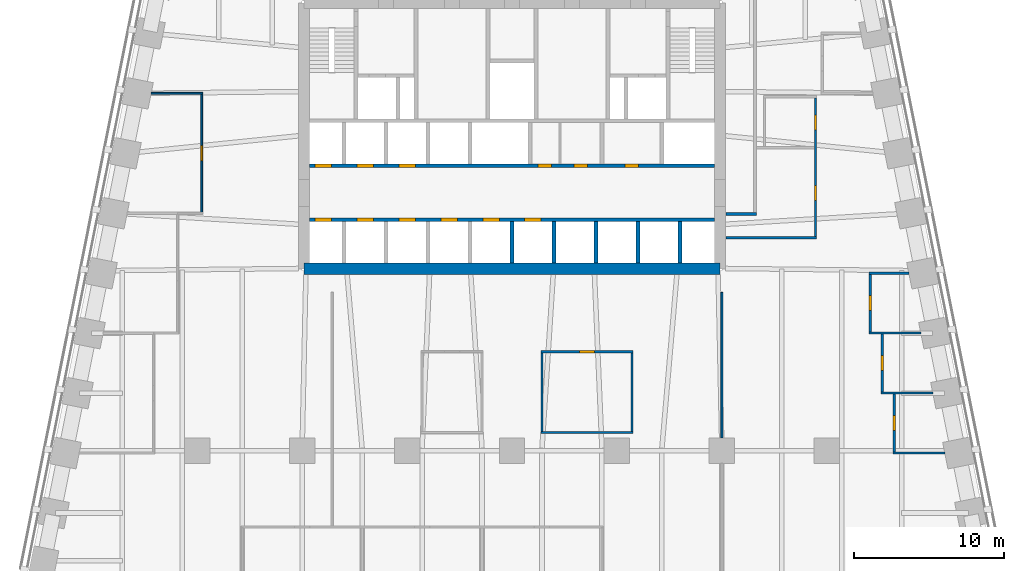
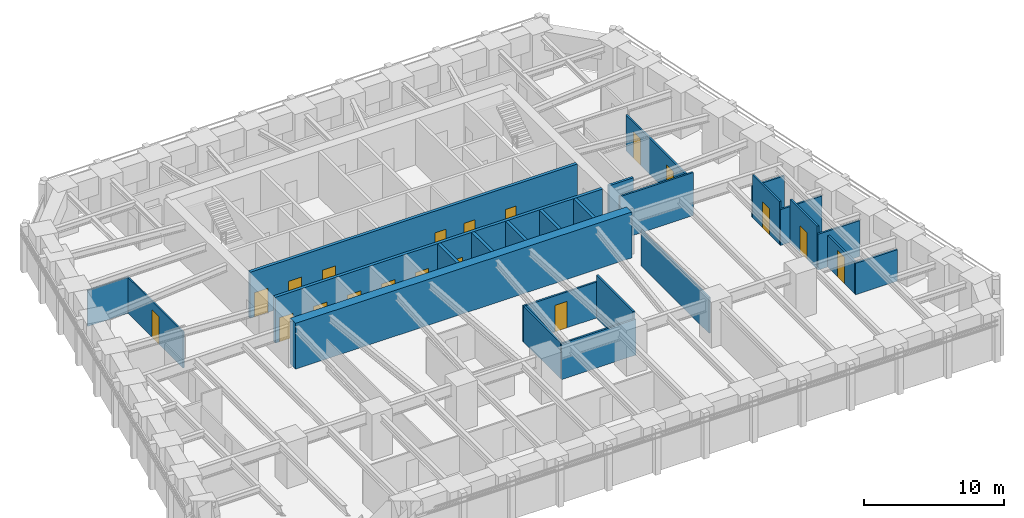
# One storey, part 6 of 10: 25 walls, 19 doors, 19 openings.
"""IFC4 building model written with IfcOpenShell, lengths in metres."""

from ifc_helpers import new_model, si_unit, direction, frame, frame_2d, origin, place, context, subcontext, project, spatial, rectangle, extrude, material, layer, layer_set, type_object, element, fill, save


model = new_model("IFC4")

# Units and contexts
model_context = context("Model", 3, precision=1e-05, world=origin(), true_north=direction((0.0, 1.0)))
body_context = subcontext(model_context, "Body", "Model", "MODEL_VIEW")
ifc_project = project(units=[si_unit("LENGTHUNIT", "METRE"), si_unit("AREAUNIT", "SQUARE_METRE"), si_unit("VOLUMEUNIT", "CUBIC_METRE"), si_unit("PLANEANGLEUNIT", "RADIAN"), si_unit("MASSUNIT", "GRAM", prefix="KILO")], contexts=[model_context])

# Site, building, storey
site_placement = place(None, origin())
site = spatial("IfcSite", under=ifc_project, at=site_placement, CompositionType="ELEMENT")
building_placement = place(site_placement, origin())
building = spatial("IfcBuilding", under=site, at=building_placement, Name="Isbrekke Arena Tower", CompositionType="ELEMENT")
storey_placement = place(building_placement, frame((0.0, 0.0, 163.0)))
storey = spatial("IfcBuildingStorey", under=building, at=storey_placement, Name="L37", CompositionType="ELEMENT", Elevation=163.0)

# Wall
ifc_material_1 = material(Name="Concrete B55 (C55/67)", Category="concrete")
ifc_layer_1 = layer(ifc_material_1, 0.75)
ifc_layer_set_1 = layer_set([ifc_layer_1], Name="CW3 CORE WALL 750")
wall_type_1 = type_object("IfcWallType", Name="CW3 CORE WALL 750", PredefinedType="SHEAR", material=ifc_layer_set_1)
wall_1_placement = place(storey_placement, frame((-13.875, 6.125, 0.0), z_axis=(0.0, 0.0, 1.0), x_axis=(1.0, 0.0, 0.0)))
element("IfcWall", 1, at=wall_1_placement, inside=storey, type_object=wall_type_1, Name="Core wall S L37", PredefinedType="SHEAR", context=body_context, shape_type="SweptSolid", body=[
    extrude(rectangle(XDim=27.75, YDim=0.75, at=frame_2d((13.875, 0.0))), origin(), (0.0, 0.0, 1.0), 4.0),
])

# Wall, openings, doors
ifc_material_2 = material(Name="Concrete B45 (C45/55)", Category="concrete")
ifc_layer_2 = layer(ifc_material_2, 0.25)
ifc_layer_set_2 = layer_set([ifc_layer_2], Name="CW6 SHAFT WALL 250")
wall_type_2 = type_object("IfcWallType", Name="CW6 SHAFT WALL 250", PredefinedType="SHEAR", material=ifc_layer_set_2)
wall_2_placement = place(storey_placement, frame((-13.5, 9.39990234375, 0.0), z_axis=(0.0, 0.0, 1.0), x_axis=(1.0, 0.0, 0.0)))
wall_2 = element("IfcWall", 2, at=wall_2_placement, inside=storey, type_object=wall_type_2, Name="Core wall LS L37", PredefinedType="SHEAR", context=body_context, shape_type="SweptSolid", body=[
    extrude(rectangle(XDim=27.0, YDim=0.25, at=frame_2d((13.5, 0.0))), origin(), (0.0, 0.0, 1.0), 4.0),
])
opening_1_placement = place(wall_2_placement, frame((0.35009765625, 0.0, 0.0)))
opening_1 = element("IfcOpeningElement", 3, at=opening_1_placement, cuts=wall_2, Name="Opening LD1", PredefinedType="OPENING", context=body_context, shape_type="SweptSolid", body=[
    extrude(rectangle(XDim=1.10009765625, YDim=2.10009765625, at=frame_2d((0.550048828125, 1.050048828125))), frame((0.0, 0.139892578125, 0.0), z_axis=(0.0, -1.0, 0.0), x_axis=(1.0, 0.0, 0.0)), (0.0, 0.0, 1.0), 0.27978515625),
])
opening_2_placement = place(wall_2_placement, frame((3.14990234375, 0.0, 0.0)))
opening_2 = element("IfcOpeningElement", 4, at=opening_2_placement, cuts=wall_2, Name="Opening LD1", PredefinedType="OPENING", context=body_context, shape_type="SweptSolid", body=[
    extrude(rectangle(XDim=1.10009765625, YDim=2.10009765625, at=frame_2d((0.550048828125, 1.050048828125))), frame((0.0, 0.139892578125, 0.0), z_axis=(0.0, -1.0, 0.0), x_axis=(1.0, 0.0, 0.0)), (0.0, 0.0, 1.0), 0.27978515625),
])
opening_3_placement = place(wall_2_placement, frame((5.949951171875, 0.0, 0.0)))
opening_3 = element("IfcOpeningElement", 5, at=opening_3_placement, cuts=wall_2, Name="Opening LD1", PredefinedType="OPENING", context=body_context, shape_type="SweptSolid", body=[
    extrude(rectangle(XDim=1.10009765625, YDim=2.10009765625, at=frame_2d((0.550048828125, 1.050048828125))), frame((0.0, 0.139892578125, 0.0), z_axis=(0.0, -1.0, 0.0), x_axis=(1.0, 0.0, 0.0)), (0.0, 0.0, 1.0), 0.27978515625),
])
opening_4_placement = place(wall_2_placement, frame((8.75, 0.0, 0.0)))
opening_4 = element("IfcOpeningElement", 6, at=opening_4_placement, cuts=wall_2, Name="Opening LD1", PredefinedType="OPENING", context=body_context, shape_type="SweptSolid", body=[
    extrude(rectangle(XDim=1.10009765625, YDim=2.10009765625, at=frame_2d((0.550048828125, 1.050048828125))), frame((0.0, 0.139892578125, 0.0), z_axis=(0.0, -1.0, 0.0), x_axis=(1.0, 0.0, 0.0)), (0.0, 0.0, 1.0), 0.27978515625),
])
opening_5_placement = place(wall_2_placement, frame((11.550048828125, 0.0, 0.0)))
opening_5 = element("IfcOpeningElement", 7, at=opening_5_placement, cuts=wall_2, Name="Opening LD1", PredefinedType="OPENING", context=body_context, shape_type="SweptSolid", body=[
    extrude(rectangle(XDim=1.10009765625, YDim=2.10009765625, at=frame_2d((0.550048828125, 1.050048828125))), frame((0.0, 0.139892578125, 0.0), z_axis=(0.0, -1.0, 0.0), x_axis=(1.0, 0.0, 0.0)), (0.0, 0.0, 1.0), 0.27978515625),
])
opening_6_placement = place(wall_2_placement, frame((14.35009765625, 0.0, 0.0)))
opening_6 = element("IfcOpeningElement", 8, at=opening_6_placement, cuts=wall_2, Name="Opening LD1", PredefinedType="OPENING", context=body_context, shape_type="SweptSolid", body=[
    extrude(rectangle(XDim=1.10009765625, YDim=2.10009765625, at=frame_2d((0.550048828125, 1.050048828125))), frame((0.0, 0.139892578125, 0.0), z_axis=(0.0, -1.0, 0.0), x_axis=(1.0, 0.0, 0.0)), (0.0, 0.0, 1.0), 0.27978515625),
])
ifc_material_3 = material(Name="Stainless steel lift landing door", Category="steel")
door_type_1 = type_object("IfcDoorType", Name="LD1 LIFT LANDING DOOR 1100 x 2100", OperationType="SLIDING_TO_LEFT", PredefinedType="DOOR", material=ifc_material_3)
door_1_placement = place(opening_1_placement, origin())
door_1 = element("IfcDoor", 9, at=door_1_placement, inside=storey, type_object=door_type_1, Name="LD1 lift landing door LB L37", OperationType="SLIDING_TO_LEFT", OverallHeight=2.10009765625, OverallWidth=1.10009765625, PredefinedType="DOOR", context=body_context, shape_type="SweptSolid", body=[
    extrude(rectangle(XDim=1.10009765625, YDim=2.10009765625, at=frame_2d((0.550048828125, 1.050048828125))), frame((0.0, 0.124755859375, 0.0), z_axis=(0.0, -1.0, 0.0), x_axis=(1.0, 0.0, 0.0)), (0.0, 0.0, 1.0), 0.24951171875),
])
fill(opening_1, door_1)
door_2_placement = place(opening_2_placement, origin())
door_2 = element("IfcDoor", 10, at=door_2_placement, inside=storey, type_object=door_type_1, Name="LD1 lift landing door LB L37", OperationType="SLIDING_TO_LEFT", OverallHeight=2.10009765625, OverallWidth=1.10009765625, PredefinedType="DOOR", context=body_context, shape_type="SweptSolid", body=[
    extrude(rectangle(XDim=1.10009765625, YDim=2.10009765625, at=frame_2d((0.550048828125, 1.050048828125))), frame((0.0, 0.124755859375, 0.0), z_axis=(0.0, -1.0, 0.0), x_axis=(1.0, 0.0, 0.0)), (0.0, 0.0, 1.0), 0.24951171875),
])
fill(opening_2, door_2)
door_3_placement = place(opening_3_placement, origin())
door_3 = element("IfcDoor", 11, at=door_3_placement, inside=storey, type_object=door_type_1, Name="LD1 lift landing door LB L37", OperationType="SLIDING_TO_LEFT", OverallHeight=2.10009765625, OverallWidth=1.10009765625, PredefinedType="DOOR", context=body_context, shape_type="SweptSolid", body=[
    extrude(rectangle(XDim=1.10009765625, YDim=2.10009765625, at=frame_2d((0.550048828125, 1.050048828125))), frame((0.0, 0.124755859375, 0.0), z_axis=(0.0, -1.0, 0.0), x_axis=(1.0, 0.0, 0.0)), (0.0, 0.0, 1.0), 0.24951171875),
])
fill(opening_3, door_3)
door_4_placement = place(opening_4_placement, origin())
door_4 = element("IfcDoor", 12, at=door_4_placement, inside=storey, type_object=door_type_1, Name="LD1 lift landing door LS L37", OperationType="SLIDING_TO_LEFT", OverallHeight=2.10009765625, OverallWidth=1.10009765625, PredefinedType="DOOR", context=body_context, shape_type="SweptSolid", body=[
    extrude(rectangle(XDim=1.10009765625, YDim=2.10009765625, at=frame_2d((0.550048828125, 1.050048828125))), frame((0.0, 0.124755859375, 0.0), z_axis=(0.0, -1.0, 0.0), x_axis=(1.0, 0.0, 0.0)), (0.0, 0.0, 1.0), 0.24951171875),
])
fill(opening_4, door_4)
door_5_placement = place(opening_5_placement, origin())
door_5 = element("IfcDoor", 13, at=door_5_placement, inside=storey, type_object=door_type_1, Name="LD1 lift landing door LS L37", OperationType="SLIDING_TO_LEFT", OverallHeight=2.10009765625, OverallWidth=1.10009765625, PredefinedType="DOOR", context=body_context, shape_type="SweptSolid", body=[
    extrude(rectangle(XDim=1.10009765625, YDim=2.10009765625, at=frame_2d((0.550048828125, 1.050048828125))), frame((0.0, 0.124755859375, 0.0), z_axis=(0.0, -1.0, 0.0), x_axis=(1.0, 0.0, 0.0)), (0.0, 0.0, 1.0), 0.24951171875),
])
fill(opening_5, door_5)
door_6_placement = place(opening_6_placement, origin())
door_6 = element("IfcDoor", 14, at=door_6_placement, inside=storey, type_object=door_type_1, Name="LD1 lift landing door LS L37", OperationType="SLIDING_TO_LEFT", OverallHeight=2.10009765625, OverallWidth=1.10009765625, PredefinedType="DOOR", context=body_context, shape_type="SweptSolid", body=[
    extrude(rectangle(XDim=1.10009765625, YDim=2.10009765625, at=frame_2d((0.550048828125, 1.050048828125))), frame((0.0, 0.124755859375, 0.0), z_axis=(0.0, -1.0, 0.0), x_axis=(1.0, 0.0, 0.0)), (0.0, 0.0, 1.0), 0.24951171875),
])
fill(opening_6, door_6)

wall_3_placement = place(storey_placement, frame((-13.5, 13.0, 0.0), z_axis=(0.0, 0.0, 1.0), x_axis=(1.0, 0.0, 0.0)))
wall_3 = element("IfcWall", 15, at=wall_3_placement, inside=storey, type_object=wall_type_2, Name="Core wall LN L37", PredefinedType="SHEAR", context=body_context, shape_type="SweptSolid", body=[
    extrude(rectangle(XDim=27.0, YDim=0.25, at=frame_2d((13.5, 0.0))), origin(), (0.0, 0.0, 1.0), 4.0),
])
opening_7_placement = place(wall_3_placement, frame((0.35009765625, 0.0, 0.0)))
opening_7 = element("IfcOpeningElement", 16, at=opening_7_placement, cuts=wall_3, Name="Opening LD1", PredefinedType="OPENING", context=body_context, shape_type="SweptSolid", body=[
    extrude(rectangle(XDim=1.10009765625, YDim=2.10009765625, at=frame_2d((0.550048828125, 1.050048828125))), frame((0.0, 0.139892578125, 0.0), z_axis=(0.0, -1.0, 0.0), x_axis=(1.0, 0.0, 0.0)), (0.0, 0.0, 1.0), 0.27978515625),
])
opening_8_placement = place(wall_3_placement, frame((3.14990234375, 0.0, 0.0)))
opening_8 = element("IfcOpeningElement", 17, at=opening_8_placement, cuts=wall_3, Name="Opening LD1", PredefinedType="OPENING", context=body_context, shape_type="SweptSolid", body=[
    extrude(rectangle(XDim=1.10009765625, YDim=2.10009765625, at=frame_2d((0.550048828125, 1.050048828125))), frame((0.0, 0.139892578125, 0.0), z_axis=(0.0, -1.0, 0.0), x_axis=(1.0, 0.0, 0.0)), (0.0, 0.0, 1.0), 0.27978515625),
])
opening_9_placement = place(wall_3_placement, frame((5.949951171875, 0.0, 0.0)))
opening_9 = element("IfcOpeningElement", 18, at=opening_9_placement, cuts=wall_3, Name="Opening LD1", PredefinedType="OPENING", context=body_context, shape_type="SweptSolid", body=[
    extrude(rectangle(XDim=1.10009765625, YDim=2.10009765625, at=frame_2d((0.550048828125, 1.050048828125))), frame((0.0, 0.139892578125, 0.0), z_axis=(0.0, -1.0, 0.0), x_axis=(1.0, 0.0, 0.0)), (0.0, 0.0, 1.0), 0.27978515625),
])
opening_10_placement = place(wall_3_placement, frame((15.25, 0.0, 0.0)))
opening_10 = element("IfcOpeningElement", 19, at=opening_10_placement, cuts=wall_3, Name="Opening D5", PredefinedType="OPENING", context=body_context, shape_type="SweptSolid", body=[
    extrude(rectangle(XDim=0.89990234375, YDim=2.10009765625, at=frame_2d((0.449951171875, 1.050048828125))), frame((0.0, 0.139892578125, 0.0), z_axis=(0.0, -1.0, 0.0), x_axis=(1.0, 0.0, 0.0)), (0.0, 0.0, 1.0), 0.27978515625),
])
opening_11_placement = place(wall_3_placement, frame((17.64990234375, 0.0, 0.0)))
opening_11 = element("IfcOpeningElement", 20, at=opening_11_placement, cuts=wall_3, Name="Opening D5", PredefinedType="OPENING", context=body_context, shape_type="SweptSolid", body=[
    extrude(rectangle(XDim=0.89990234375, YDim=2.10009765625, at=frame_2d((0.449951171875, 1.050048828125))), frame((0.0, 0.139892578125, 0.0), z_axis=(0.0, -1.0, 0.0), x_axis=(1.0, 0.0, 0.0)), (0.0, 0.0, 1.0), 0.27978515625),
])
opening_12_placement = place(wall_3_placement, frame((21.050048828125, 0.0, 0.0)))
opening_12 = element("IfcOpeningElement", 21, at=opening_12_placement, cuts=wall_3, Name="Opening D5", PredefinedType="OPENING", context=body_context, shape_type="SweptSolid", body=[
    extrude(rectangle(XDim=0.89990234375, YDim=2.10009765625, at=frame_2d((0.449951171875, 1.050048828125))), frame((0.0, 0.139892578125, 0.0), z_axis=(0.0, -1.0, 0.0), x_axis=(1.0, 0.0, 0.0)), (0.0, 0.0, 1.0), 0.27978515625),
])
ifc_material_4 = material(Name="Steel fire door", Category="steel")
door_type_2 = type_object("IfcDoorType", Name="D5 SERVICE DOOR 900 x 2100", OperationType="SINGLE_SWING_LEFT", PredefinedType="DOOR", material=ifc_material_4)
door_7_placement = place(opening_10_placement, origin())
door_7 = element("IfcDoor", 22, at=door_7_placement, inside=storey, type_object=door_type_2, Name="D5 cleaner's store door L37", OperationType="SINGLE_SWING_LEFT", OverallHeight=2.10009765625, OverallWidth=0.89990234375, PredefinedType="DOOR", context=body_context, shape_type="SweptSolid", body=[
    extrude(rectangle(XDim=0.89990234375, YDim=2.10009765625, at=frame_2d((0.449951171875, 1.050048828125))), frame((0.0, 0.124755859375, 0.0), z_axis=(0.0, -1.0, 0.0), x_axis=(1.0, 0.0, 0.0)), (0.0, 0.0, 1.0), 0.24951171875),
])
fill(opening_10, door_7)
door_8_placement = place(opening_11_placement, origin())
door_8 = element("IfcDoor", 23, at=door_8_placement, inside=storey, type_object=door_type_2, Name="D5 tea point door L37", OperationType="SINGLE_SWING_LEFT", OverallHeight=2.10009765625, OverallWidth=0.89990234375, PredefinedType="DOOR", context=body_context, shape_type="SweptSolid", body=[
    extrude(rectangle(XDim=0.89990234375, YDim=2.10009765625, at=frame_2d((0.449951171875, 1.050048828125))), frame((0.0, 0.124755859375, 0.0), z_axis=(0.0, -1.0, 0.0), x_axis=(1.0, 0.0, 0.0)), (0.0, 0.0, 1.0), 0.24951171875),
])
fill(opening_11, door_8)
door_9_placement = place(opening_12_placement, origin())
door_9 = element("IfcDoor", 24, at=door_9_placement, inside=storey, type_object=door_type_2, Name="D5 communications room door L37", OperationType="SINGLE_SWING_LEFT", OverallHeight=2.10009765625, OverallWidth=0.89990234375, PredefinedType="DOOR", context=body_context, shape_type="SweptSolid", body=[
    extrude(rectangle(XDim=0.89990234375, YDim=2.10009765625, at=frame_2d((0.449951171875, 1.050048828125))), frame((0.0, 0.124755859375, 0.0), z_axis=(0.0, -1.0, 0.0), x_axis=(1.0, 0.0, 0.0)), (0.0, 0.0, 1.0), 0.24951171875),
])
fill(opening_12, door_9)
door_10_placement = place(opening_7_placement, origin())
door_10 = element("IfcDoor", 25, at=door_10_placement, inside=storey, type_object=door_type_1, Name="LD1 lift landing door LB L37", OperationType="SLIDING_TO_LEFT", OverallHeight=2.10009765625, OverallWidth=1.10009765625, PredefinedType="DOOR", context=body_context, shape_type="SweptSolid", body=[
    extrude(rectangle(XDim=1.10009765625, YDim=2.10009765625, at=frame_2d((0.550048828125, 1.050048828125))), frame((0.0, 0.124755859375, 0.0), z_axis=(0.0, -1.0, 0.0), x_axis=(1.0, 0.0, 0.0)), (0.0, 0.0, 1.0), 0.24951171875),
])
fill(opening_7, door_10)
door_11_placement = place(opening_8_placement, origin())
door_11 = element("IfcDoor", 26, at=door_11_placement, inside=storey, type_object=door_type_1, Name="LD1 lift landing door LB L37", OperationType="SLIDING_TO_LEFT", OverallHeight=2.10009765625, OverallWidth=1.10009765625, PredefinedType="DOOR", context=body_context, shape_type="SweptSolid", body=[
    extrude(rectangle(XDim=1.10009765625, YDim=2.10009765625, at=frame_2d((0.550048828125, 1.050048828125))), frame((0.0, 0.124755859375, 0.0), z_axis=(0.0, -1.0, 0.0), x_axis=(1.0, 0.0, 0.0)), (0.0, 0.0, 1.0), 0.24951171875),
])
fill(opening_8, door_11)
door_12_placement = place(opening_9_placement, origin())
door_12 = element("IfcDoor", 27, at=door_12_placement, inside=storey, type_object=door_type_1, Name="LD1 lift landing door LB L37", OperationType="SLIDING_TO_LEFT", OverallHeight=2.10009765625, OverallWidth=1.10009765625, PredefinedType="DOOR", context=body_context, shape_type="SweptSolid", body=[
    extrude(rectangle(XDim=1.10009765625, YDim=2.10009765625, at=frame_2d((0.550048828125, 1.050048828125))), frame((0.0, 0.124755859375, 0.0), z_axis=(0.0, -1.0, 0.0), x_axis=(1.0, 0.0, 0.0)), (0.0, 0.0, 1.0), 0.24951171875),
])
fill(opening_9, door_12)

# Walls
for number, where, z_axis, x_axis, name in (
    (28, (0.0, 6.5, 0.0), (0.0, 0.0, 1.0), (0.0, 1.0, 0.0), "Core wall SS05 L37"),
    (29, (2.800048828125, 6.5, 0.0), (0.0, 0.0, 1.0), (0.0, 1.0, 0.0), "Core wall SS06 L37"),
    (30, (5.60009765625, 6.5, 0.0), (0.0, 0.0, 1.0), (0.0, 1.0, 0.0), "Core wall SS07 L37"),
    (31, (8.39990234375, 6.5, 0.0), (0.0, 0.0, 1.0), (0.0, 1.0, 0.0), "Core wall SS08 L37"),
    (32, (11.199951171875, 6.5, 0.0), (0.0, 0.0, 1.0), (0.0, 1.0, 0.0), "Core wall SS09 L37"),
):
    element("IfcWall", number, at=place(storey_placement, frame(where, z_axis=z_axis, x_axis=x_axis)), inside=storey, type_object=wall_type_2, Name=name, PredefinedType="SHEAR", context=body_context, shape_type="SweptSolid", body=[
        extrude(rectangle(XDim=2.77490234375, YDim=0.25, at=frame_2d((1.387451171875, 0.0))), origin(), (0.0, 0.0, 1.0), 4.0),
    ])
ifc_material_5 = material(Name="Gypsum board partition on steel studs", Category="steel")
ifc_layer_3 = layer(ifc_material_5, 0.14990234375)
ifc_layer_set_3 = layer_set([ifc_layer_3], Name="IW1 PARTITION 150")
wall_type_3 = type_object("IfcWallType", Name="IW1 PARTITION 150", PredefinedType="PARTITIONING", material=ifc_layer_set_3)
wall_4_placement = place(storey_placement, frame((25.425048828125, -6.159912109375, 0.0), z_axis=(0.0, 0.0, 1.0), x_axis=(1.0, 0.0, 0.0)))
element("IfcWall", 33, at=wall_4_placement, inside=storey, type_object=wall_type_3, Name="IW1 partition 150 L37", PredefinedType="PARTITIONING", context=body_context, shape_type="SweptSolid", body=[
    extrude(rectangle(XDim=3.44775390625, YDim=0.14990234375, at=frame_2d((1.723876953125, 0.0))), origin(), (0.0, 0.0, 1.0), 2.741943359375),
])
wall_5_placement = place(storey_placement, frame((1.925048828125, -4.800048828125, 0.0), z_axis=(0.0, 0.0, 1.0), x_axis=(1.0, 0.0, 0.0)))
element("IfcWall", 34, at=wall_5_placement, inside=storey, type_object=wall_type_3, Name="IW1 partition 150 L37", PredefinedType="PARTITIONING", context=body_context, shape_type="SweptSolid", body=[
    extrude(rectangle(XDim=6.14990234375, YDim=0.14990234375, at=frame_2d((3.074951171875, 0.0))), origin(), (0.0, 0.0, 1.0), 3.1298828125),
])
wall_6_placement = place(storey_placement, frame((24.625, -2.159912109375, 0.0), z_axis=(0.0, 0.0, 1.0), x_axis=(1.0, 0.0, 0.0)))
element("IfcWall", 35, at=wall_6_placement, inside=storey, type_object=wall_type_3, Name="IW1 partition 150 L37", PredefinedType="PARTITIONING", context=body_context, shape_type="SweptSolid", body=[
    extrude(rectangle(XDim=3.44775390625, YDim=0.14990234375, at=frame_2d((1.723876953125, 0.0))), origin(), (0.0, 0.0, 1.0), 3.1298828125),
])

# Wall, opening, door
wall_7_placement = place(storey_placement, frame((1.925048828125, 0.60009765625, 0.0), z_axis=(0.0, 0.0, 1.0), x_axis=(1.0, 0.0, 0.0)))
wall_7 = element("IfcWall", 36, at=wall_7_placement, inside=storey, type_object=wall_type_3, Name="IW1 partition 150 L37", PredefinedType="PARTITIONING", context=body_context, shape_type="SweptSolid", body=[
    extrude(rectangle(XDim=6.14990234375, YDim=0.14990234375, at=frame_2d((3.074951171875, 0.0))), origin(), (0.0, 0.0, 1.0), 3.1298828125),
])
opening_13_placement = place(wall_7_placement, frame((2.574951171875, 0.0, 0.0)))
opening_13 = element("IfcOpeningElement", 37, at=opening_13_placement, cuts=wall_7, Name="Opening D10", PredefinedType="OPENING", context=body_context, shape_type="SweptSolid", body=[
    extrude(rectangle(XDim=1.0, YDim=2.300048828125, at=frame_2d((0.5, 1.14990234375))), frame((0.0, 0.08984375, 0.0), z_axis=(0.0, -1.0, 0.0), x_axis=(1.0, 0.0, 0.0)), (0.0, 0.0, 1.0), 0.1796875),
])
ifc_material_6 = material(Name="Timber door", Category="wood")
door_type_3 = type_object("IfcDoorType", Name="D10 OFFICE DOOR 1000 x 2300", OperationType="SINGLE_SWING_LEFT", PredefinedType="DOOR", material=ifc_material_6)
door_13_placement = place(opening_13_placement, origin())
door_13 = element("IfcDoor", 38, at=door_13_placement, inside=storey, type_object=door_type_3, Name="D10 pantry door L37", OperationType="SINGLE_SWING_LEFT", OverallHeight=2.300048828125, OverallWidth=1.0, PredefinedType="DOOR", context=body_context, shape_type="SweptSolid", body=[
    extrude(rectangle(XDim=1.0, YDim=2.300048828125, at=frame_2d((0.5, 1.14990234375))), frame((0.0, 0.07470703125, 0.0), z_axis=(0.0, -1.0, 0.0), x_axis=(1.0, 0.0, 0.0)), (0.0, 0.0, 1.0), 0.1494140625),
])
fill(opening_13, door_13)

# Walls
wall_8_placement = place(storey_placement, frame((23.824951171875, 1.840087890625, 0.0), z_axis=(0.0, 0.0, 1.0), x_axis=(1.0, 0.0, 0.0)))
element("IfcWall", 39, at=wall_8_placement, inside=storey, type_object=wall_type_3, Name="IW1 partition 150 L37", PredefinedType="PARTITIONING", context=body_context, shape_type="SweptSolid", body=[
    extrude(rectangle(XDim=3.44775390625, YDim=0.14990234375, at=frame_2d((1.723876953125, 0.0))), origin(), (0.0, 0.0, 1.0), 3.1298828125),
])
wall_9_placement = place(storey_placement, frame((23.824951171875, 5.840087890625, 0.0), z_axis=(0.0, 0.0, 1.0), x_axis=(1.0, 0.0, 0.0)))
element("IfcWall", 40, at=wall_9_placement, inside=storey, type_object=wall_type_3, Name="IW1 partition 150 L37", PredefinedType="PARTITIONING", context=body_context, shape_type="SweptSolid", body=[
    extrude(rectangle(XDim=2.64794921875, YDim=0.14990234375, at=frame_2d((1.323974609375, 0.0))), origin(), (0.0, 0.0, 1.0), 2.741943359375),
])
wall_10_placement = place(storey_placement, frame((14.280029296875, 8.199951171875, 0.0), z_axis=(0.0, 0.0, 1.0), x_axis=(1.0, 0.0, 0.0)))
element("IfcWall", 41, at=wall_10_placement, inside=storey, type_object=wall_type_3, Name="IW1 partition 150 L37", PredefinedType="PARTITIONING", context=body_context, shape_type="SweptSolid", body=[
    extrude(rectangle(XDim=6.044921875, YDim=0.14990234375, at=frame_2d((3.0224609375, 0.0))), origin(), (0.0, 0.0, 1.0), 3.75),
])
wall_11_placement = place(storey_placement, frame((2.0, -4.72509765625, 0.0), z_axis=(0.0, 0.0, 1.0), x_axis=(0.0, 1.0, 0.0)))
element("IfcWall", 42, at=wall_11_placement, inside=storey, type_object=wall_type_3, Name="IW1 partition 150 L37", PredefinedType="PARTITIONING", context=body_context, shape_type="SweptSolid", body=[
    extrude(rectangle(XDim=5.25, YDim=0.14990234375, at=frame_2d((2.625, 0.0))), origin(), (0.0, 0.0, 1.0), 3.1298828125),
])
wall_12_placement = place(storey_placement, frame((8.0, -4.72509765625, 0.0), z_axis=(0.0, 0.0, 1.0), x_axis=(0.0, 1.0, 0.0)))
element("IfcWall", 43, at=wall_12_placement, inside=storey, type_object=wall_type_3, Name="IW1 partition 150 L37", PredefinedType="PARTITIONING", context=body_context, shape_type="SweptSolid", body=[
    extrude(rectangle(XDim=5.25, YDim=0.14990234375, at=frame_2d((2.625, 0.0))), origin(), (0.0, 0.0, 1.0), 3.75),
])

# Wall, openings, doors
wall_13_placement = place(storey_placement, frame((20.25, 8.27490234375, 0.0), z_axis=(0.0, 0.0, 1.0), x_axis=(0.0, 1.0, 0.0)))
wall_13 = element("IfcWall", 44, at=wall_13_placement, inside=storey, type_object=wall_type_3, Name="IW1 partition 150 L37", PredefinedType="PARTITIONING", context=body_context, shape_type="SweptSolid", body=[
    extrude(rectangle(XDim=9.25, YDim=0.14990234375, at=frame_2d((4.625, 0.0))), origin(), (0.0, 0.0, 1.0), 3.1298828125),
])
opening_14_placement = place(wall_13_placement, frame((2.425048828125, 0.0, 0.0)))
opening_14 = element("IfcOpeningElement", 45, at=opening_14_placement, cuts=wall_13, Name="Opening D10", PredefinedType="OPENING", context=body_context, shape_type="SweptSolid", body=[
    extrude(rectangle(XDim=1.0, YDim=2.300048828125, at=frame_2d((0.5, 1.14990234375))), frame((0.0, 0.08984375, 0.0), z_axis=(0.0, -1.0, 0.0), x_axis=(1.0, 0.0, 0.0)), (0.0, 0.0, 1.0), 0.1796875),
])
opening_15_placement = place(wall_13_placement, frame((7.125, 0.0, 0.0)))
opening_15 = element("IfcOpeningElement", 46, at=opening_15_placement, cuts=wall_13, Name="Opening D10", PredefinedType="OPENING", context=body_context, shape_type="SweptSolid", body=[
    extrude(rectangle(XDim=1.0, YDim=2.300048828125, at=frame_2d((0.5, 1.14990234375))), frame((0.0, 0.08984375, 0.0), z_axis=(0.0, -1.0, 0.0), x_axis=(1.0, 0.0, 0.0)), (0.0, 0.0, 1.0), 0.1796875),
])
door_14_placement = place(opening_14_placement, origin())
door_14 = element("IfcDoor", 47, at=door_14_placement, inside=storey, type_object=door_type_3, Name="D10 reception door L37", OperationType="SINGLE_SWING_LEFT", OverallHeight=2.300048828125, OverallWidth=1.0, PredefinedType="DOOR", context=body_context, shape_type="SweptSolid", body=[
    extrude(rectangle(XDim=1.0, YDim=2.300048828125, at=frame_2d((0.5, 1.14990234375))), frame((0.0, 0.07470703125, 0.0), z_axis=(0.0, -1.0, 0.0), x_axis=(1.0, 0.0, 0.0)), (0.0, 0.0, 1.0), 0.1494140625),
])
fill(opening_14, door_14)
door_15_placement = place(opening_15_placement, origin())
door_15 = element("IfcDoor", 48, at=door_15_placement, inside=storey, type_object=door_type_3, Name="D10 cloakroom door L37", OperationType="SINGLE_SWING_LEFT", OverallHeight=2.300048828125, OverallWidth=1.0, PredefinedType="DOOR", context=body_context, shape_type="SweptSolid", body=[
    extrude(rectangle(XDim=1.0, YDim=2.300048828125, at=frame_2d((0.5, 1.14990234375))), frame((0.0, 0.07470703125, 0.0), z_axis=(0.0, -1.0, 0.0), x_axis=(1.0, 0.0, 0.0)), (0.0, 0.0, 1.0), 0.1494140625),
])
fill(opening_15, door_15)

# Wall, opening, door
wall_14_placement = place(storey_placement, frame((23.89990234375, 1.9150390625, 0.0), z_axis=(0.0, 0.0, 1.0), x_axis=(0.0, 1.0, 0.0)))
wall_14 = element("IfcWall", 49, at=wall_14_placement, inside=storey, type_object=wall_type_3, Name="IW1 partition 150 L37", PredefinedType="PARTITIONING", context=body_context, shape_type="SweptSolid", body=[
    extrude(rectangle(XDim=3.849853515625, YDim=0.14990234375, at=frame_2d((1.9248046875, 0.0))), origin(), (0.0, 0.0, 1.0), 3.75),
])
opening_16_placement = place(wall_14_placement, frame((1.425048828125, 0.0, 0.0)))
opening_16 = element("IfcOpeningElement", 50, at=opening_16_placement, cuts=wall_14, Name="Opening D10", PredefinedType="OPENING", context=body_context, shape_type="SweptSolid", body=[
    extrude(rectangle(XDim=1.0, YDim=2.300048828125, at=frame_2d((0.5, 1.14990234375))), frame((0.0, 0.08984375, 0.0), z_axis=(0.0, -1.0, 0.0), x_axis=(1.0, 0.0, 0.0)), (0.0, 0.0, 1.0), 0.1796875),
])
door_16_placement = place(opening_16_placement, origin())
door_16 = element("IfcDoor", 51, at=door_16_placement, inside=storey, type_object=door_type_3, Name="D10 office door L37", OperationType="SINGLE_SWING_LEFT", OverallHeight=2.300048828125, OverallWidth=1.0, PredefinedType="DOOR", context=body_context, shape_type="SweptSolid", body=[
    extrude(rectangle(XDim=1.0, YDim=2.300048828125, at=frame_2d((0.5, 1.14990234375))), frame((0.0, 0.07470703125, 0.0), z_axis=(0.0, -1.0, 0.0), x_axis=(1.0, 0.0, 0.0)), (0.0, 0.0, 1.0), 0.1494140625),
])
fill(opening_16, door_16)

wall_15_placement = place(storey_placement, frame((24.699951171875, -2.0849609375, 0.0), z_axis=(0.0, 0.0, 1.0), x_axis=(0.0, 1.0, 0.0)))
wall_15 = element("IfcWall", 52, at=wall_15_placement, inside=storey, type_object=wall_type_3, Name="IW1 partition 150 L37", PredefinedType="PARTITIONING", context=body_context, shape_type="SweptSolid", body=[
    extrude(rectangle(XDim=3.849853515625, YDim=0.14990234375, at=frame_2d((1.9248046875, 0.0))), origin(), (0.0, 0.0, 1.0), 3.75),
])
opening_17_placement = place(wall_15_placement, frame((1.425048828125, 0.0, 0.0)))
opening_17 = element("IfcOpeningElement", 53, at=opening_17_placement, cuts=wall_15, Name="Opening D10", PredefinedType="OPENING", context=body_context, shape_type="SweptSolid", body=[
    extrude(rectangle(XDim=1.0, YDim=2.300048828125, at=frame_2d((0.5, 1.14990234375))), frame((0.0, 0.08984375, 0.0), z_axis=(0.0, -1.0, 0.0), x_axis=(1.0, 0.0, 0.0)), (0.0, 0.0, 1.0), 0.1796875),
])
door_17_placement = place(opening_17_placement, origin())
door_17 = element("IfcDoor", 54, at=door_17_placement, inside=storey, type_object=door_type_3, Name="D10 office door L37", OperationType="SINGLE_SWING_LEFT", OverallHeight=2.300048828125, OverallWidth=1.0, PredefinedType="DOOR", context=body_context, shape_type="SweptSolid", body=[
    extrude(rectangle(XDim=1.0, YDim=2.300048828125, at=frame_2d((0.5, 1.14990234375))), frame((0.0, 0.07470703125, 0.0), z_axis=(0.0, -1.0, 0.0), x_axis=(1.0, 0.0, 0.0)), (0.0, 0.0, 1.0), 0.1494140625),
])
fill(opening_17, door_17)

wall_16_placement = place(storey_placement, frame((25.5, -6.0849609375, 0.0), z_axis=(0.0, 0.0, 1.0), x_axis=(0.0, 1.0, 0.0)))
wall_16 = element("IfcWall", 55, at=wall_16_placement, inside=storey, type_object=wall_type_3, Name="IW1 partition 150 L37", PredefinedType="PARTITIONING", context=body_context, shape_type="SweptSolid", body=[
    extrude(rectangle(XDim=3.849853515625, YDim=0.14990234375, at=frame_2d((1.9248046875, 0.0))), origin(), (0.0, 0.0, 1.0), 2.741943359375),
])
opening_18_placement = place(wall_16_placement, frame((1.425048828125, 0.0, 0.0)))
opening_18 = element("IfcOpeningElement", 56, at=opening_18_placement, cuts=wall_16, Name="Opening D10", PredefinedType="OPENING", context=body_context, shape_type="SweptSolid", body=[
    extrude(rectangle(XDim=1.0, YDim=2.300048828125, at=frame_2d((0.5, 1.14990234375))), frame((0.0, 0.08984375, 0.0), z_axis=(0.0, -1.0, 0.0), x_axis=(1.0, 0.0, 0.0)), (0.0, 0.0, 1.0), 0.1796875),
])
door_18_placement = place(opening_18_placement, origin())
door_18 = element("IfcDoor", 57, at=door_18_placement, inside=storey, type_object=door_type_3, Name="D10 office door L37", OperationType="SINGLE_SWING_LEFT", OverallHeight=2.300048828125, OverallWidth=1.0, PredefinedType="DOOR", context=body_context, shape_type="SweptSolid", body=[
    extrude(rectangle(XDim=1.0, YDim=2.300048828125, at=frame_2d((0.5, 1.14990234375))), frame((0.0, 0.07470703125, 0.0), z_axis=(0.0, -1.0, 0.0), x_axis=(1.0, 0.0, 0.0)), (0.0, 0.0, 1.0), 0.1494140625),
])
fill(opening_18, door_18)

# Wall
ifc_material_7 = material(Name="Frameless glazed partition, laminated acoustic glass", Category="glass")
ifc_layer_4 = layer(ifc_material_7, 0.1201171875)
ifc_layer_set_4 = layer_set([ifc_layer_4], Name="IW2 GLAZED PARTITION 120")
wall_type_4 = type_object("IfcWallType", Name="IW2 GLAZED PARTITION 120", PredefinedType="PARTITIONING", material=ifc_layer_set_4)
wall_17_placement = place(storey_placement, frame((-24.07275390625, 17.840087890625, 0.0), z_axis=(0.0, 0.0, 1.0), x_axis=(1.0, 0.0, 0.0)))
element("IfcWall", 58, at=wall_17_placement, inside=storey, type_object=wall_type_4, Name="IW2 glazed partition 120 L37", PredefinedType="PARTITIONING", context=body_context, shape_type="SweptSolid", body=[
    extrude(rectangle(XDim=3.432861328125, YDim=0.1201171875, at=frame_2d((1.71630859375, 0.0))), origin(), (0.0, 0.0, 1.0), 3.1298828125),
])

# Wall, opening, door
wall_18_placement = place(storey_placement, frame((-20.699951171875, 9.89990234375, 0.0), z_axis=(0.0, 0.0, 1.0), x_axis=(0.0, 1.0, 0.0)))
wall_18 = element("IfcWall", 59, at=wall_18_placement, inside=storey, type_object=wall_type_4, Name="IW2 glazed partition 120 L37", PredefinedType="PARTITIONING", context=body_context, shape_type="SweptSolid", body=[
    extrude(rectangle(XDim=7.880126953125, YDim=0.1201171875, at=frame_2d((3.93994140625, 0.0))), origin(), (0.0, 0.0, 1.0), 3.1298828125),
])
opening_19_placement = place(wall_18_placement, frame((3.43994140625, 0.0, 0.0)))
opening_19 = element("IfcOpeningElement", 60, at=opening_19_placement, cuts=wall_18, Name="Opening D11", PredefinedType="OPENING", context=body_context, shape_type="SweptSolid", body=[
    extrude(rectangle(XDim=1.0, YDim=2.39990234375, at=frame_2d((0.5, 1.199951171875))), frame((0.0, 0.074951171875, 0.0), z_axis=(0.0, -1.0, 0.0), x_axis=(1.0, 0.0, 0.0)), (0.0, 0.0, 1.0), 0.14990234375),
])
ifc_material_8 = material(Name="Frameless glazed door", Category="glass")
door_type_4 = type_object("IfcDoorType", Name="D11 GLAZED MEETING ROOM DOOR 1000 x 2400", OperationType="SINGLE_SWING_RIGHT", PredefinedType="DOOR", material=ifc_material_8)
door_19_placement = place(opening_19_placement, origin())
door_19 = element("IfcDoor", 61, at=door_19_placement, inside=storey, type_object=door_type_4, Name="D11 client meeting room door L37", OperationType="SINGLE_SWING_RIGHT", OverallHeight=2.39990234375, OverallWidth=1.0, PredefinedType="DOOR", context=body_context, shape_type="SweptSolid", body=[
    extrude(rectangle(XDim=1.0, YDim=2.39990234375, at=frame_2d((0.5, 1.199951171875))), frame((0.0, 0.059814453125, 0.0), z_axis=(0.0, -1.0, 0.0), x_axis=(1.0, 0.0, 0.0)), (0.0, 0.0, 1.0), 0.11962890625),
])
fill(opening_19, door_19)

# Walls
wall_19_placement = place(storey_placement, frame((14.0009765625, -5.14990234375, 0.0), z_axis=(0.0, 0.0, 1.0), x_axis=(0.0, 1.0, 0.0)))
element("IfcWall", 62, at=wall_19_placement, inside=storey, type_object=wall_type_4, Name="IW2 glazed partition 120 L37", PredefinedType="PARTITIONING", context=body_context, shape_type="SweptSolid", body=[
    extrude(rectangle(XDim=9.699951171875, YDim=0.1201171875, at=frame_2d((4.85009765625, 0.0))), origin(), (0.0, 0.0, 1.0), 3.1298828125),
])
ifc_material_9 = material(Name="Gypsum board fire-cell wall on steel studs, two layers each side", Category="steel")
ifc_layer_5 = layer(ifc_material_9, 0.199951171875)
ifc_layer_set_5 = layer_set([ifc_layer_5], Name="IW3 FIRE-CELL WALL 200")
wall_type_5 = type_object("IfcWallType", Name="IW3 FIRE-CELL WALL 200", PredefinedType="PARTITIONING", material=ifc_layer_set_5)
wall_20_placement = place(storey_placement, frame((14.280029296875, 9.800048828125, 0.0), z_axis=(0.0, 0.0, 1.0), x_axis=(1.0, 0.0, 0.0)))
element("IfcWall", 63, at=wall_20_placement, inside=storey, type_object=wall_type_5, Name="IW3 fire-cell wall 200 L37", PredefinedType="PARTITIONING", context=body_context, shape_type="SweptSolid", body=[
    extrude(rectangle(XDim=2.02001953125, YDim=0.199951171875, at=frame_2d((1.010009765625, 0.0))), origin(), (0.0, 0.0, 1.0), 3.75),
])

save(model, "model.ifc")
